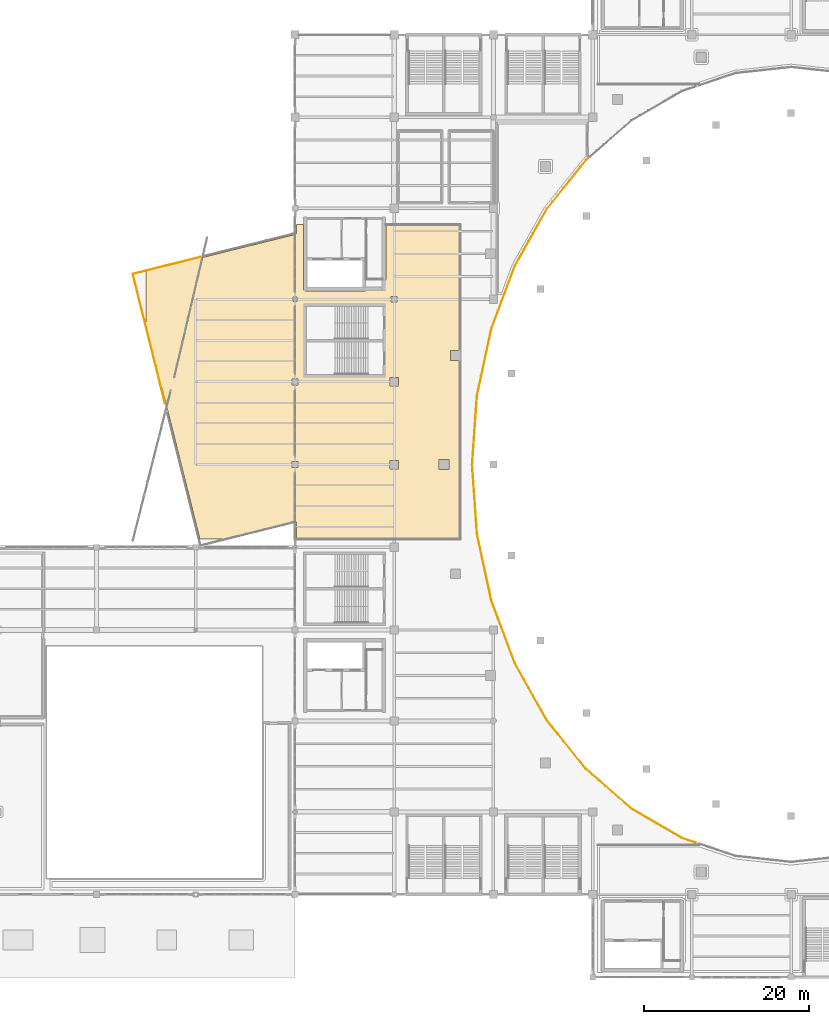
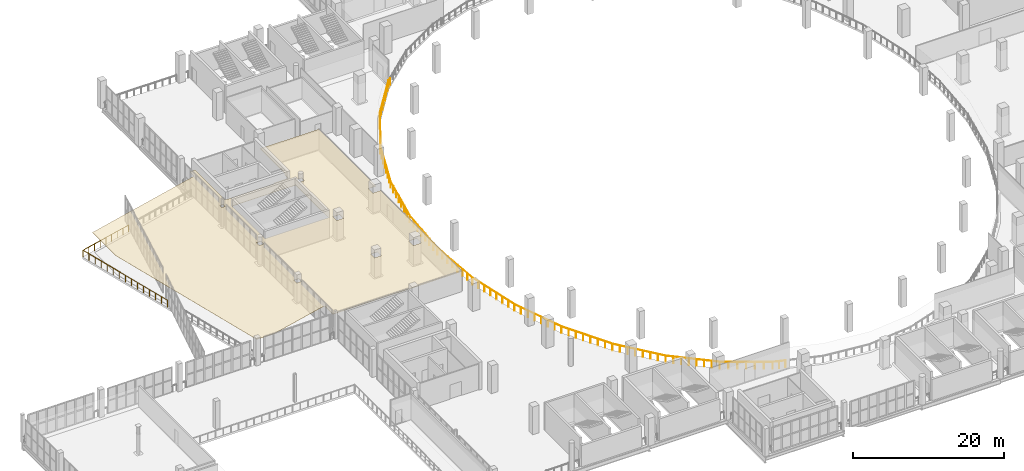
# One storey, part 100 of 108: 2 railings, 1 covering.
"""IFC4 building model written with IfcOpenShell, lengths in metres."""

from ifc_helpers import new_model, si_unit, direction, frame, origin, origin_2d, place, context, subcontext, project, spatial, polyline, circle, outline, extrude, material, layer, layer_set, type_object, element, save


model = new_model("IFC4")

# Units and contexts
model_context = context("Model", 3, precision=1e-05, world=origin(), true_north=direction((0.0, 1.0)))
body_context = subcontext(model_context, "Body", "Model", "MODEL_VIEW")
ifc_project = project(units=[si_unit("LENGTHUNIT", "METRE"), si_unit("AREAUNIT", "SQUARE_METRE"), si_unit("VOLUMEUNIT", "CUBIC_METRE"), si_unit("PLANEANGLEUNIT", "RADIAN"), si_unit("MASSUNIT", "GRAM", prefix="KILO")], contexts=[model_context])

# Site, building, storey
site_placement = place(None, origin())
site = spatial("IfcSite", under=ifc_project, at=site_placement, CompositionType="ELEMENT")
building_placement = place(site_placement, origin())
building = spatial("IfcBuilding", under=site, at=building_placement, Name="Brinegate Civic Arena", CompositionType="ELEMENT")
storey_placement = place(building_placement, frame((0.0, 0.0, 10.199951171875)))
storey = spatial("IfcBuildingStorey", under=building, at=storey_placement, Name="L02", CompositionType="ELEMENT", Elevation=10.199951171875)

# Covering
ifc_material_1 = material(Name="Acoustic perforated aluminium ceiling", Category="aluminium")
ifc_layer = layer(ifc_material_1, 0.044921875, Name="Acoustic perforated aluminium ceiling")
ifc_layer_set = layer_set([ifc_layer], Name="Acoustic perforated aluminium ceiling")
covering_type = type_object("IfcCoveringType", Name="CEILING-BAFFLE-45", PredefinedType="CEILING", material=ifc_layer_set)
covering_placement = place(storey_placement, frame((0.0, 0.0, 3.205078125)))
element("IfcCovering", 1, at=covering_placement, inside=storey, type_object=covering_type, Name="Acoustic Ceiling L02-001", PredefinedType="CEILING", context=body_context, shape_type="SweptSolid", body=[
    extrude(outline(polyline([(29.97998046875, 79.126953125), (29.97998046875, 79.12890625), (29.97998046875, 85.324951171875), (29.97998046875, 85.326904296875), (29.97998046875, 85.3291015625), (29.98095703125, 85.3310546875), (29.98095703125, 85.33203125), (29.98193359375, 85.333984375), (29.98291015625, 85.3359375), (29.98388671875, 85.3369140625), (29.985107421875, 85.339111328125), (29.987060546875, 85.340087890625), (29.988037109375, 85.341064453125), (29.989990234375, 85.342041015625), (29.991943359375, 85.343017578125), (29.992919921875, 85.343994140625), (29.9951171875, 85.343994140625), (48.0419921875, 89.843994140625), (48.091064453125, 89.863037109375), (48.1298828125, 89.89599609375), (48.159912109375, 89.93798828125), (48.173095703125, 89.968994140625), (48.178955078125, 90.001953125), (48.179931640625, 91.0), (48.179931640625, 91.001953125), (48.179931640625, 91.00390625), (48.180908203125, 91.006103515625), (48.181884765625, 91.008056640625), (48.181884765625, 91.009033203125), (48.18310546875, 91.010986328125), (48.18505859375, 91.012939453125), (48.18603515625, 91.013916015625), (48.18701171875, 91.014892578125), (48.18896484375, 91.01708984375), (48.19091796875, 91.01806640625), (48.19189453125, 91.01806640625), (48.194091796875, 91.01904296875), (48.196044921875, 91.02001953125), (48.197998046875, 91.02001953125), (48.199951171875, 91.02001953125), (49.0, 91.02001953125), (49.001953125, 91.02001953125), (49.00390625, 91.02001953125), (49.006103515625, 91.01904296875), (49.008056640625, 91.01806640625), (49.009033203125, 91.01806640625), (49.010986328125, 91.01708984375), (49.012939453125, 91.014892578125), (49.013916015625, 91.013916015625), (49.014892578125, 91.012939453125), (49.01708984375, 91.010986328125), (49.01806640625, 91.009033203125), (49.01806640625, 91.008056640625), (49.01904296875, 91.006103515625), (49.02001953125, 91.00390625), (49.02001953125, 91.001953125), (49.02001953125, 91.0), (49.02001953125, 86.950927734375), (49.02490234375, 86.902099609375), (49.02490234375, 86.89990234375), (49.02490234375, 86.89794921875), (49.02001953125, 86.84912109375), (49.02001953125, 83.2509765625), (49.02490234375, 83.205078125), (49.0380859375, 83.162109375), (49.05908203125, 83.1220703125), (49.0869140625, 83.0869140625), (49.1220703125, 83.05908203125), (49.162109375, 83.0380859375), (49.205078125, 83.02490234375), (49.2509765625, 83.02001953125), (56.448974609375, 83.02001953125), (56.4951171875, 83.02490234375), (56.5390625, 83.0380859375), (56.55810546875, 83.047119140625), (56.596923828125, 83.072998046875), (56.613037109375, 83.0869140625), (56.626953125, 83.10302734375), (56.652099609375, 83.14111328125), (56.669921875, 83.18310546875), (56.674072265625, 83.199951171875), (58.800048828125, 83.199951171875), (58.800048828125, 84.177001953125), (58.818115234375, 84.179931640625), (58.837890625, 84.18701171875), (58.8779296875, 84.208984375), (58.89599609375, 84.222900390625), (58.9130859375, 84.237060546875), (58.94091796875, 84.27197265625), (58.951904296875, 84.291015625), (58.969970703125, 84.3330078125), (58.97509765625, 84.35400390625), (58.97998046875, 84.40087890625), (58.97998046875, 91.0), (58.97998046875, 91.001953125), (58.97998046875, 91.00390625), (58.98095703125, 91.006103515625), (58.98193359375, 91.008056640625), (58.98193359375, 91.009033203125), (58.98291015625, 91.010986328125), (58.985107421875, 91.012939453125), (58.986083984375, 91.013916015625), (58.987060546875, 91.014892578125), (58.989013671875, 91.01708984375), (58.990966796875, 91.01806640625), (58.991943359375, 91.01806640625), (58.993896484375, 91.01904296875), (58.99609375, 91.02001953125), (58.998046875, 91.02001953125), (59.0, 91.02001953125), (68.0, 91.02001953125), (68.001953125, 91.02001953125), (68.00390625, 91.02001953125), (68.006103515625, 91.01904296875), (68.008056640625, 91.01806640625), (68.009033203125, 91.01806640625), (68.010986328125, 91.01708984375), (68.012939453125, 91.014892578125), (68.013916015625, 91.013916015625), (68.014892578125, 91.012939453125), (68.01708984375, 91.010986328125), (68.01806640625, 91.009033203125), (68.01806640625, 91.008056640625), (68.01904296875, 91.006103515625), (68.02001953125, 91.00390625), (68.02001953125, 91.001953125), (68.02001953125, 91.0), (68.02001953125, 75.81005859375), (66.821044921875, 75.81005859375), (66.821044921875, 74.590087890625), (68.02001953125, 74.590087890625), (68.02001953125, 53.0), (68.02001953125, 52.998046875), (68.02001953125, 52.99609375), (68.01904296875, 52.993896484375), (68.01806640625, 52.991943359375), (68.01806640625, 52.990966796875), (68.01708984375, 52.989013671875), (68.014892578125, 52.987060546875), (68.013916015625, 52.986083984375), (68.012939453125, 52.985107421875), (68.010986328125, 52.98291015625), (68.009033203125, 52.98193359375), (68.008056640625, 52.98193359375), (68.006103515625, 52.98095703125), (68.00390625, 52.97998046875), (68.001953125, 52.97998046875), (68.0, 52.97998046875), (48.199951171875, 52.97998046875), (48.197998046875, 52.97998046875), (48.196044921875, 52.97998046875), (48.194091796875, 52.98095703125), (48.19189453125, 52.98193359375), (48.19091796875, 52.98193359375), (48.18896484375, 52.98291015625), (48.18701171875, 52.985107421875), (48.18603515625, 52.986083984375), (48.18505859375, 52.987060546875), (48.18310546875, 52.989013671875), (48.181884765625, 52.990966796875), (48.181884765625, 52.991943359375), (48.180908203125, 52.993896484375), (48.179931640625, 52.99609375), (48.179931640625, 52.998046875), (48.179931640625, 53.0), (48.178955078125, 54.99609375), (48.172119140625, 55.031982421875), (48.156982421875, 55.06494140625), (48.136962890625, 55.094970703125), (48.110107421875, 55.1201171875), (48.096923828125, 55.1298828125), (48.06396484375, 55.14599609375), (48.029052734375, 55.156005859375), (47.991943359375, 55.157958984375), (47.9560546875, 55.152099609375), (39.2451171875, 52.98095703125), (39.241943359375, 52.97998046875), (39.239990234375, 52.97998046875), (36.514892578125, 52.97998046875), (36.512939453125, 52.97998046875), (36.510986328125, 52.97998046875), (36.509033203125, 52.98095703125), (36.508056640625, 52.98095703125), (36.506103515625, 52.98193359375), (36.50390625, 52.98291015625), (36.5029296875, 52.98388671875), (36.5009765625, 52.985107421875), (36.5, 52.987060546875), (36.4990234375, 52.988037109375), (36.498046875, 52.989990234375), (36.4970703125, 52.991943359375), (36.49609375, 52.992919921875), (36.49609375, 52.9951171875), (29.98095703125, 79.1240234375), (29.97998046875, 79.126953125)]), holes=[polyline([(48.360107421875, 62.360107421875), (47.639892578125, 62.360107421875), (47.639892578125, 61.639892578125), (48.360107421875, 61.639892578125), (48.360107421875, 62.360107421875)]), polyline([(48.360107421875, 71.639892578125), (48.360107421875, 72.360107421875), (47.639892578125, 72.360107421875), (47.639892578125, 71.639892578125), (48.360107421875, 71.639892578125)]), polyline([(58.85009765625, 72.64990234375), (58.85009765625, 81.35009765625), (49.14990234375, 81.35009765625), (49.14990234375, 72.64990234375), (58.85009765625, 72.64990234375)]), polyline([(48.263916015625, 82.263916015625), (47.736083984375, 82.263916015625), (47.736083984375, 81.736083984375), (48.263916015625, 81.736083984375), (48.263916015625, 82.263916015625)]), polyline([(60.360107421875, 81.639892578125), (60.360107421875, 82.360107421875), (59.639892578125, 82.360107421875), (59.639892578125, 81.639892578125), (60.360107421875, 81.639892578125)]), polyline([(60.510009765625, 62.510009765625), (59.489990234375, 62.510009765625), (59.489990234375, 61.489990234375), (60.510009765625, 61.489990234375), (60.510009765625, 62.510009765625)]), polyline([(66.610107421875, 61.389892578125), (66.610107421875, 62.610107421875), (65.389892578125, 62.610107421875), (65.389892578125, 61.389892578125), (66.610107421875, 61.389892578125)]), polyline([(60.510009765625, 71.489990234375), (60.510009765625, 72.510009765625), (59.489990234375, 72.510009765625), (59.489990234375, 71.489990234375), (60.510009765625, 71.489990234375)])]), origin(), (0.0, 0.0, 1.0), 0.044921875),
])

# Railings
ifc_material_2 = material(Name="Architectural stainless steel balustrade", Category="steel")
railing_type = type_object("IfcRailingType", Name="RAIL-VOID-BALUSTRADE-1120", PredefinedType="BALUSTRADE", material=ifc_material_2)
railing_1_placement = place(storey_placement, frame((32.299072265625, 69.3701171875, 0.0)))
element("IfcRailing", 2, at=railing_1_placement, inside=storey, type_object=railing_type, Name="Deck Edge Balustrade L02-129", PredefinedType="BALUSTRADE", context=body_context, shape_type="SweptSolid", body=[
    extrude(circle(Radius=0.02392578125, at=origin_2d()), frame((-0.000244140625, 0.00146484375, 1.09619140625), z_axis=(-0.24192086958, 0.970295982091, 0.0), x_axis=(-0.970295982091, -0.24192086958, 0.0)), (0.0, 0.0, 1.0), 16.1640625),
    extrude(circle(Radius=0.02392578125, at=origin_2d()), frame((-3.90966796875, 15.68701171875, 1.09619140625), z_axis=(0.970290922157, 0.241941163053, 0.0), x_axis=(-0.241941163053, 0.970290922157, 0.0)), (0.0, 0.0, 1.0), 8.40478515625),
    extrude(circle(Radius=0.02099609375, at=origin_2d()), origin(), (0.0, 0.0, 1.0), 1.070068359375),
    extrude(circle(Radius=0.02099609375, at=origin_2d()), frame((-0.279296875, 1.12060546875, 0.0)), (0.0, 0.0, 1.0), 1.070068359375),
    extrude(circle(Radius=0.02099609375, at=origin_2d()), frame((-0.558837890625, 2.240966796875, 0.0)), (0.0, 0.0, 1.0), 1.070068359375),
    extrude(circle(Radius=0.02099609375, at=origin_2d()), frame((-0.838134765625, 3.361328125, 0.0)), (0.0, 0.0, 1.0), 1.070068359375),
    extrude(circle(Radius=0.02099609375, at=origin_2d()), frame((-1.117431640625, 4.48193359375, 0.0)), (0.0, 0.0, 1.0), 1.070068359375),
    extrude(circle(Radius=0.02099609375, at=origin_2d()), frame((-1.396728515625, 5.6025390625, 0.0)), (0.0, 0.0, 1.0), 1.070068359375),
    extrude(circle(Radius=0.02099609375, at=origin_2d()), frame((-1.67626953125, 6.722900390625, 0.0)), (0.0, 0.0, 1.0), 1.070068359375),
    extrude(circle(Radius=0.02099609375, at=origin_2d()), frame((-1.95556640625, 7.84326171875, 0.0)), (0.0, 0.0, 1.0), 1.070068359375),
    extrude(circle(Radius=0.02099609375, at=origin_2d()), frame((-2.23486328125, 8.9638671875, 0.0)), (0.0, 0.0, 1.0), 1.070068359375),
    extrude(circle(Radius=0.02099609375, at=origin_2d()), frame((-2.514404296875, 10.08447265625, 0.0)), (0.0, 0.0, 1.0), 1.070068359375),
    extrude(circle(Radius=0.02099609375, at=origin_2d()), frame((-2.793701171875, 11.204833984375, 0.0)), (0.0, 0.0, 1.0), 1.070068359375),
    extrude(circle(Radius=0.02099609375, at=origin_2d()), frame((-3.072998046875, 12.3251953125, 0.0)), (0.0, 0.0, 1.0), 1.070068359375),
    extrude(circle(Radius=0.02099609375, at=origin_2d()), frame((-3.352294921875, 13.44580078125, 0.0)), (0.0, 0.0, 1.0), 1.070068359375),
    extrude(circle(Radius=0.02099609375, at=origin_2d()), frame((-3.6318359375, 14.56640625, 0.0)), (0.0, 0.0, 1.0), 1.070068359375),
    extrude(circle(Radius=0.02099609375, at=origin_2d()), frame((-3.9111328125, 15.686767578125, 0.0)), (0.0, 0.0, 1.0), 1.070068359375),
    extrude(circle(Radius=0.02099609375, at=origin_2d()), frame((-2.891357421875, 15.94091796875, 0.0)), (0.0, 0.0, 1.0), 1.070068359375),
    extrude(circle(Radius=0.02099609375, at=origin_2d()), frame((-1.87158203125, 16.1953125, 0.0)), (0.0, 0.0, 1.0), 1.070068359375),
    extrude(circle(Radius=0.02099609375, at=origin_2d()), frame((-0.851806640625, 16.44970703125, 0.0)), (0.0, 0.0, 1.0), 1.070068359375),
    extrude(circle(Radius=0.02099609375, at=origin_2d()), frame((0.16796875, 16.703857421875, 0.0)), (0.0, 0.0, 1.0), 1.070068359375),
    extrude(circle(Radius=0.02099609375, at=origin_2d()), frame((1.1875, 16.9580078125, 0.0)), (0.0, 0.0, 1.0), 1.070068359375),
    extrude(circle(Radius=0.02099609375, at=origin_2d()), frame((2.207275390625, 17.21240234375, 0.0)), (0.0, 0.0, 1.0), 1.070068359375),
    extrude(circle(Radius=0.02099609375, at=origin_2d()), frame((3.22705078125, 17.466796875, 0.0)), (0.0, 0.0, 1.0), 1.070068359375),
    extrude(circle(Radius=0.02099609375, at=origin_2d()), frame((4.246826171875, 17.720947265625, 0.0)), (0.0, 0.0, 1.0), 1.070068359375),
])
railing_2_placement = place(storey_placement, frame((83.597900390625, 99.1640625, 0.0)))
element("IfcRailing", 3, at=railing_2_placement, inside=storey, type_object=railing_type, Name="Deck Edge Balustrade L02-208", PredefinedType="BALUSTRADE", context=body_context, shape_type="SweptSolid", body=[
    extrude(circle(Radius=0.02392578125, at=origin_2d()), frame((-0.001220703125, -0.0009765625, 1.09619140625), z_axis=(-0.753479763457, -0.657471099031, 0.0), x_axis=(0.657471099031, -0.753479763457, 0.0)), (0.0, 0.0, 1.0), 0.515869140625),
    extrude(circle(Radius=0.02392578125, at=origin_2d()), frame((-0.391845703125, -0.34228515625, 1.09619140625), z_axis=(-0.625905260183, -0.779899099419, 0.0), x_axis=(0.779899099419, -0.625905260183, 0.0)), (0.0, 0.0, 1.0), 7.59423828125),
    extrude(circle(Radius=0.02392578125, at=origin_2d()), frame((-5.146728515625, -6.267333984375, 1.09619140625), z_axis=(-0.489679540382, -0.871902487513, 0.0), x_axis=(0.871902487513, -0.489679540382, 0.0)), (0.0, 0.0, 1.0), 7.869384765625),
    extrude(circle(Radius=0.02392578125, at=origin_2d()), frame((-9.00146484375, -13.131591796875, 1.09619140625), z_axis=(-0.350453328797, -0.936580196425, 0.0), x_axis=(0.936580196425, -0.350453328797, 0.0)), (0.0, 0.0, 1.0), 8.10302734375),
    extrude(circle(Radius=0.02392578125, at=origin_2d()), frame((-11.842041015625, -20.7236328125, 1.09619140625), z_axis=(-0.210113252843, -0.97767705352, 0.0), x_axis=(0.97767705352, -0.210113252843, 0.0)), (0.0, 0.0, 1.0), 8.2734375),
    extrude(circle(Radius=0.02392578125, at=origin_2d()), frame((-13.580810546875, -28.8154296875, 1.09619140625), z_axis=(-0.070185162482, -0.997533980858, 0.0), x_axis=(0.997533980858, -0.070185162482, 0.0)), (0.0, 0.0, 1.0), 8.36279296875),
    extrude(circle(Radius=0.02392578125, at=origin_2d()), frame((-14.16796875, -37.16064453125, 1.09619140625), z_axis=(0.069925837565, -0.99755219274, 0.0), x_axis=(0.99755219274, 0.069925837565, 0.0)), (0.0, 0.0, 1.0), 8.362548828125),
    extrude(circle(Radius=0.02392578125, at=origin_2d()), frame((-13.582763671875, -45.505615234375, 1.09619140625), z_axis=(0.210113252843, -0.97767705352, 0.0), x_axis=(0.97767705352, 0.210113252843, 0.0)), (0.0, 0.0, 1.0), 8.2734375),
    extrude(circle(Radius=0.02392578125, at=origin_2d()), frame((-11.843505859375, -53.597412109375, 1.09619140625), z_axis=(0.350123154661, -0.936703675967, 0.0), x_axis=(0.936703675967, 0.350123154661, 0.0)), (0.0, 0.0, 1.0), 8.10302734375),
    extrude(circle(Radius=0.02392578125, at=origin_2d()), frame((-9.005126953125, -61.190185546875, 1.09619140625), z_axis=(0.489638192465, -0.87192570812, 0.0), x_axis=(0.87192570812, 0.489638192465, 0.0)), (0.0, 0.0, 1.0), 7.8681640625),
    extrude(circle(Radius=0.02392578125, at=origin_2d()), frame((-5.15087890625, -68.05322265625, 1.09619140625), z_axis=(0.625588309154, -0.780153361493, 0.0), x_axis=(0.780153361493, 0.625588309154, 0.0)), (0.0, 0.0, 1.0), 7.593017578125),
    extrude(circle(Radius=0.02392578125, at=origin_2d()), frame((-0.398681640625, -73.97900390625, 1.09619140625), z_axis=(0.753236306491, -0.657750003105, 0.0), x_axis=(0.657750003105, 0.753236306491, 0.0)), (0.0, 0.0, 1.0), 7.306884765625),
    extrude(circle(Radius=0.02392578125, at=origin_2d()), frame((5.107421875, -78.786865234375, 1.09619140625), z_axis=(0.86441512171, -0.502778775764, 0.0), x_axis=(0.502778775764, 0.86441512171, 0.0)), (0.0, 0.0, 1.0), 7.045654296875),
    extrude(circle(Radius=0.02392578125, at=origin_2d()), frame((11.20068359375, -82.33056640625, 1.09619140625), z_axis=(0.948276792423, -0.317444680143, 0.0), x_axis=(0.317444680143, 0.948276792423, 0.0)), (0.0, 0.0, 1.0), 1.741943359375),
    extrude(circle(Radius=0.02099609375, at=origin_2d()), origin(), (0.0, 0.0, 1.0), 1.070068359375),
    extrude(circle(Radius=0.02099609375, at=origin_2d()), frame((-0.390869140625, -0.341064453125, 0.0)), (0.0, 0.0, 1.0), 1.070068359375),
    extrude(circle(Radius=0.02099609375, at=origin_2d()), frame((-1.070068359375, -1.1875, 0.0)), (0.0, 0.0, 1.0), 1.070068359375),
    extrude(circle(Radius=0.02099609375, at=origin_2d()), frame((-1.74951171875, -2.033935546875, 0.0)), (0.0, 0.0, 1.0), 1.070068359375),
    extrude(circle(Radius=0.02099609375, at=origin_2d()), frame((-2.4287109375, -2.88037109375, 0.0)), (0.0, 0.0, 1.0), 1.070068359375),
    extrude(circle(Radius=0.02099609375, at=origin_2d()), frame((-3.108154296875, -3.726806640625, 0.0)), (0.0, 0.0, 1.0), 1.070068359375),
    extrude(circle(Radius=0.02099609375, at=origin_2d()), frame((-3.787353515625, -4.5732421875, 0.0)), (0.0, 0.0, 1.0), 1.070068359375),
    extrude(circle(Radius=0.02099609375, at=origin_2d()), frame((-4.466796875, -5.419677734375, 0.0)), (0.0, 0.0, 1.0), 1.070068359375),
    extrude(circle(Radius=0.02099609375, at=origin_2d()), frame((-5.14599609375, -6.26611328125, 0.0)), (0.0, 0.0, 1.0), 1.070068359375),
    extrude(circle(Radius=0.02099609375, at=origin_2d()), frame((-5.69677734375, -7.24658203125, 0.0)), (0.0, 0.0, 1.0), 1.070068359375),
    extrude(circle(Radius=0.02099609375, at=origin_2d()), frame((-6.247314453125, -8.227294921875, 0.0)), (0.0, 0.0, 1.0), 1.070068359375),
    extrude(circle(Radius=0.02099609375, at=origin_2d()), frame((-6.798095703125, -9.207763671875, 0.0)), (0.0, 0.0, 1.0), 1.070068359375),
    extrude(circle(Radius=0.02099609375, at=origin_2d()), frame((-7.348876953125, -10.1884765625, 0.0)), (0.0, 0.0, 1.0), 1.070068359375),
    extrude(circle(Radius=0.02099609375, at=origin_2d()), frame((-7.899658203125, -11.1689453125, 0.0)), (0.0, 0.0, 1.0), 1.070068359375),
    extrude(circle(Radius=0.02099609375, at=origin_2d()), frame((-8.4501953125, -12.149658203125, 0.0)), (0.0, 0.0, 1.0), 1.070068359375),
    extrude(circle(Radius=0.02099609375, at=origin_2d()), frame((-9.0009765625, -13.130126953125, 0.0)), (0.0, 0.0, 1.0), 1.070068359375),
    extrude(circle(Radius=0.02099609375, at=origin_2d()), frame((-9.40673828125, -14.214599609375, 0.0)), (0.0, 0.0, 1.0), 1.070068359375),
    extrude(circle(Radius=0.02099609375, at=origin_2d()), frame((-9.812744140625, -15.29931640625, 0.0)), (0.0, 0.0, 1.0), 1.070068359375),
    extrude(circle(Radius=0.02099609375, at=origin_2d()), frame((-10.218505859375, -16.3837890625, 0.0)), (0.0, 0.0, 1.0), 1.070068359375),
    extrude(circle(Radius=0.02099609375, at=origin_2d()), frame((-10.624267578125, -17.468505859375, 0.0)), (0.0, 0.0, 1.0), 1.070068359375),
    extrude(circle(Radius=0.02099609375, at=origin_2d()), frame((-11.030029296875, -18.552978515625, 0.0)), (0.0, 0.0, 1.0), 1.070068359375),
    extrude(circle(Radius=0.02099609375, at=origin_2d()), frame((-11.43603515625, -19.6376953125, 0.0)), (0.0, 0.0, 1.0), 1.070068359375),
    extrude(circle(Radius=0.02099609375, at=origin_2d()), frame((-11.841796875, -20.72216796875, 0.0)), (0.0, 0.0, 1.0), 1.070068359375),
    extrude(circle(Radius=0.02099609375, at=origin_2d()), frame((-12.09033203125, -21.878173828125, 0.0)), (0.0, 0.0, 1.0), 1.070068359375),
    extrude(circle(Radius=0.02099609375, at=origin_2d()), frame((-12.338623046875, -23.0341796875, 0.0)), (0.0, 0.0, 1.0), 1.070068359375),
    extrude(circle(Radius=0.02099609375, at=origin_2d()), frame((-12.587158203125, -24.190185546875, 0.0)), (0.0, 0.0, 1.0), 1.070068359375),
    extrude(circle(Radius=0.02099609375, at=origin_2d()), frame((-12.83544921875, -25.345947265625, 0.0)), (0.0, 0.0, 1.0), 1.070068359375),
    extrude(circle(Radius=0.02099609375, at=origin_2d()), frame((-13.083984375, -26.501953125, 0.0)), (0.0, 0.0, 1.0), 1.070068359375),
    extrude(circle(Radius=0.02099609375, at=origin_2d()), frame((-13.332275390625, -27.657958984375, 0.0)), (0.0, 0.0, 1.0), 1.070068359375),
    extrude(circle(Radius=0.02099609375, at=origin_2d()), frame((-13.580810546875, -28.81396484375, 0.0)), (0.0, 0.0, 1.0), 1.070068359375),
    extrude(circle(Radius=0.02099609375, at=origin_2d()), frame((-13.664794921875, -30.006103515625, 0.0)), (0.0, 0.0, 1.0), 1.070068359375),
    extrude(circle(Radius=0.02099609375, at=origin_2d()), frame((-13.74853515625, -31.1982421875, 0.0)), (0.0, 0.0, 1.0), 1.070068359375),
    extrude(circle(Radius=0.02099609375, at=origin_2d()), frame((-13.83251953125, -32.390380859375, 0.0)), (0.0, 0.0, 1.0), 1.070068359375),
    extrude(circle(Radius=0.02099609375, at=origin_2d()), frame((-13.916259765625, -33.582763671875, 0.0)), (0.0, 0.0, 1.0), 1.070068359375),
    extrude(circle(Radius=0.02099609375, at=origin_2d()), frame((-14.000244140625, -34.77490234375, 0.0)), (0.0, 0.0, 1.0), 1.070068359375),
    extrude(circle(Radius=0.02099609375, at=origin_2d()), frame((-14.083984375, -35.967041015625, 0.0)), (0.0, 0.0, 1.0), 1.070068359375),
    extrude(circle(Radius=0.02099609375, at=origin_2d()), frame((-14.16796875, -37.1591796875, 0.0)), (0.0, 0.0, 1.0), 1.070068359375),
    extrude(circle(Radius=0.02099609375, at=origin_2d()), frame((-14.08447265625, -38.351318359375, 0.0)), (0.0, 0.0, 1.0), 1.070068359375),
    extrude(circle(Radius=0.02099609375, at=origin_2d()), frame((-14.000732421875, -39.54345703125, 0.0)), (0.0, 0.0, 1.0), 1.070068359375),
    extrude(circle(Radius=0.02099609375, at=origin_2d()), frame((-13.917236328125, -40.735595703125, 0.0)), (0.0, 0.0, 1.0), 1.070068359375),
    extrude(circle(Radius=0.02099609375, at=origin_2d()), frame((-13.833740234375, -41.927734375, 0.0)), (0.0, 0.0, 1.0), 1.070068359375),
    extrude(circle(Radius=0.02099609375, at=origin_2d()), frame((-13.750244140625, -43.119873046875, 0.0)), (0.0, 0.0, 1.0), 1.070068359375),
    extrude(circle(Radius=0.02099609375, at=origin_2d()), frame((-13.66650390625, -44.31201171875, 0.0)), (0.0, 0.0, 1.0), 1.070068359375),
    extrude(circle(Radius=0.02099609375, at=origin_2d()), frame((-13.5830078125, -45.504150390625, 0.0)), (0.0, 0.0, 1.0), 1.070068359375),
    extrude(circle(Radius=0.02099609375, at=origin_2d()), frame((-13.33447265625, -46.66015625, 0.0)), (0.0, 0.0, 1.0), 1.070068359375),
    extrude(circle(Radius=0.02099609375, at=origin_2d()), frame((-13.086181640625, -47.816162109375, 0.0)), (0.0, 0.0, 1.0), 1.070068359375),
    extrude(circle(Radius=0.02099609375, at=origin_2d()), frame((-12.837646484375, -48.97216796875, 0.0)), (0.0, 0.0, 1.0), 1.070068359375),
    extrude(circle(Radius=0.02099609375, at=origin_2d()), frame((-12.58935546875, -50.1279296875, 0.0)), (0.0, 0.0, 1.0), 1.070068359375),
    extrude(circle(Radius=0.02099609375, at=origin_2d()), frame((-12.3408203125, -51.283935546875, 0.0)), (0.0, 0.0, 1.0), 1.070068359375),
    extrude(circle(Radius=0.02099609375, at=origin_2d()), frame((-12.092529296875, -52.43994140625, 0.0)), (0.0, 0.0, 1.0), 1.070068359375),
    extrude(circle(Radius=0.02099609375, at=origin_2d()), frame((-11.843994140625, -53.595947265625, 0.0)), (0.0, 0.0, 1.0), 1.070068359375),
    extrude(circle(Radius=0.02099609375, at=origin_2d()), frame((-11.4384765625, -54.6806640625, 0.0)), (0.0, 0.0, 1.0), 1.070068359375),
    extrude(circle(Radius=0.02099609375, at=origin_2d()), frame((-11.033203125, -55.765380859375, 0.0)), (0.0, 0.0, 1.0), 1.070068359375),
    extrude(circle(Radius=0.02099609375, at=origin_2d()), frame((-10.627685546875, -56.85009765625, 0.0)), (0.0, 0.0, 1.0), 1.070068359375),
    extrude(circle(Radius=0.02099609375, at=origin_2d()), frame((-10.22216796875, -57.934814453125, 0.0)), (0.0, 0.0, 1.0), 1.070068359375),
    extrude(circle(Radius=0.02099609375, at=origin_2d()), frame((-9.816650390625, -59.01953125, 0.0)), (0.0, 0.0, 1.0), 1.070068359375),
    extrude(circle(Radius=0.02099609375, at=origin_2d()), frame((-9.411376953125, -60.104248046875, 0.0)), (0.0, 0.0, 1.0), 1.070068359375),
    extrude(circle(Radius=0.02099609375, at=origin_2d()), frame((-9.005859375, -61.18896484375, 0.0)), (0.0, 0.0, 1.0), 1.070068359375),
    extrude(circle(Radius=0.02099609375, at=origin_2d()), frame((-8.455322265625, -62.16943359375, 0.0)), (0.0, 0.0, 1.0), 1.070068359375),
    extrude(circle(Radius=0.02099609375, at=origin_2d()), frame((-7.90478515625, -63.14990234375, 0.0)), (0.0, 0.0, 1.0), 1.070068359375),
    extrude(circle(Radius=0.02099609375, at=origin_2d()), frame((-7.354248046875, -64.13037109375, 0.0)), (0.0, 0.0, 1.0), 1.070068359375),
    extrude(circle(Radius=0.02099609375, at=origin_2d()), frame((-6.803466796875, -65.110595703125, 0.0)), (0.0, 0.0, 1.0), 1.070068359375),
    extrude(circle(Radius=0.02099609375, at=origin_2d()), frame((-6.2529296875, -66.091064453125, 0.0)), (0.0, 0.0, 1.0), 1.070068359375),
    extrude(circle(Radius=0.02099609375, at=origin_2d()), frame((-5.702392578125, -67.071533203125, 0.0)), (0.0, 0.0, 1.0), 1.070068359375),
    extrude(circle(Radius=0.02099609375, at=origin_2d()), frame((-5.15185546875, -68.052001953125, 0.0)), (0.0, 0.0, 1.0), 1.070068359375),
    extrude(circle(Radius=0.02099609375, at=origin_2d()), frame((-4.472900390625, -68.898681640625, 0.0)), (0.0, 0.0, 1.0), 1.070068359375),
    extrude(circle(Radius=0.02099609375, at=origin_2d()), frame((-3.794189453125, -69.7451171875, 0.0)), (0.0, 0.0, 1.0), 1.070068359375),
    extrude(circle(Radius=0.02099609375, at=origin_2d()), frame((-3.115234375, -70.591796875, 0.0)), (0.0, 0.0, 1.0), 1.070068359375),
    extrude(circle(Radius=0.02099609375, at=origin_2d()), frame((-2.4365234375, -71.438232421875, 0.0)), (0.0, 0.0, 1.0), 1.070068359375),
    extrude(circle(Radius=0.02099609375, at=origin_2d()), frame((-1.757568359375, -72.284912109375, 0.0)), (0.0, 0.0, 1.0), 1.070068359375),
    extrude(circle(Radius=0.02099609375, at=origin_2d()), frame((-1.078857421875, -73.13134765625, 0.0)), (0.0, 0.0, 1.0), 1.070068359375),
    extrude(circle(Radius=0.02099609375, at=origin_2d()), frame((-0.39990234375, -73.97802734375, 0.0)), (0.0, 0.0, 1.0), 1.070068359375),
    extrude(circle(Radius=0.02099609375, at=origin_2d()), frame((0.38671875, -74.664794921875, 0.0)), (0.0, 0.0, 1.0), 1.070068359375),
    extrude(circle(Radius=0.02099609375, at=origin_2d()), frame((1.17333984375, -75.351806640625, 0.0)), (0.0, 0.0, 1.0), 1.070068359375),
    extrude(circle(Radius=0.02099609375, at=origin_2d()), frame((1.9599609375, -76.03857421875, 0.0)), (0.0, 0.0, 1.0), 1.070068359375),
    extrude(circle(Radius=0.02099609375, at=origin_2d()), frame((2.746337890625, -76.7255859375, 0.0)), (0.0, 0.0, 1.0), 1.070068359375),
    extrude(circle(Radius=0.02099609375, at=origin_2d()), frame((3.532958984375, -77.412353515625, 0.0)), (0.0, 0.0, 1.0), 1.070068359375),
    extrude(circle(Radius=0.02099609375, at=origin_2d()), frame((4.319580078125, -78.099365234375, 0.0)), (0.0, 0.0, 1.0), 1.070068359375),
    extrude(circle(Radius=0.02099609375, at=origin_2d()), frame((5.106201171875, -78.7861328125, 0.0)), (0.0, 0.0, 1.0), 1.070068359375),
    extrude(circle(Radius=0.02099609375, at=origin_2d()), frame((6.12158203125, -79.376708984375, 0.0)), (0.0, 0.0, 1.0), 1.070068359375),
    extrude(circle(Radius=0.02099609375, at=origin_2d()), frame((7.13720703125, -79.967529296875, 0.0)), (0.0, 0.0, 1.0), 1.070068359375),
    extrude(circle(Radius=0.02099609375, at=origin_2d()), frame((8.15283203125, -80.55810546875, 0.0)), (0.0, 0.0, 1.0), 1.070068359375),
    extrude(circle(Radius=0.02099609375, at=origin_2d()), frame((9.168212890625, -81.148681640625, 0.0)), (0.0, 0.0, 1.0), 1.070068359375),
    extrude(circle(Radius=0.02099609375, at=origin_2d()), frame((10.18359375, -81.739501953125, 0.0)), (0.0, 0.0, 1.0), 1.070068359375),
    extrude(circle(Radius=0.02099609375, at=origin_2d()), frame((11.19921875, -82.330078125, 0.0)), (0.0, 0.0, 1.0), 1.070068359375),
    extrude(circle(Radius=0.02099609375, at=origin_2d()), frame((12.026611328125, -82.60693359375, 0.0)), (0.0, 0.0, 1.0), 1.070068359375),
    extrude(circle(Radius=0.02099609375, at=origin_2d()), frame((12.85400390625, -82.884033203125, 0.0)), (0.0, 0.0, 1.0), 1.070068359375),
])

save(model, "model.ifc")
